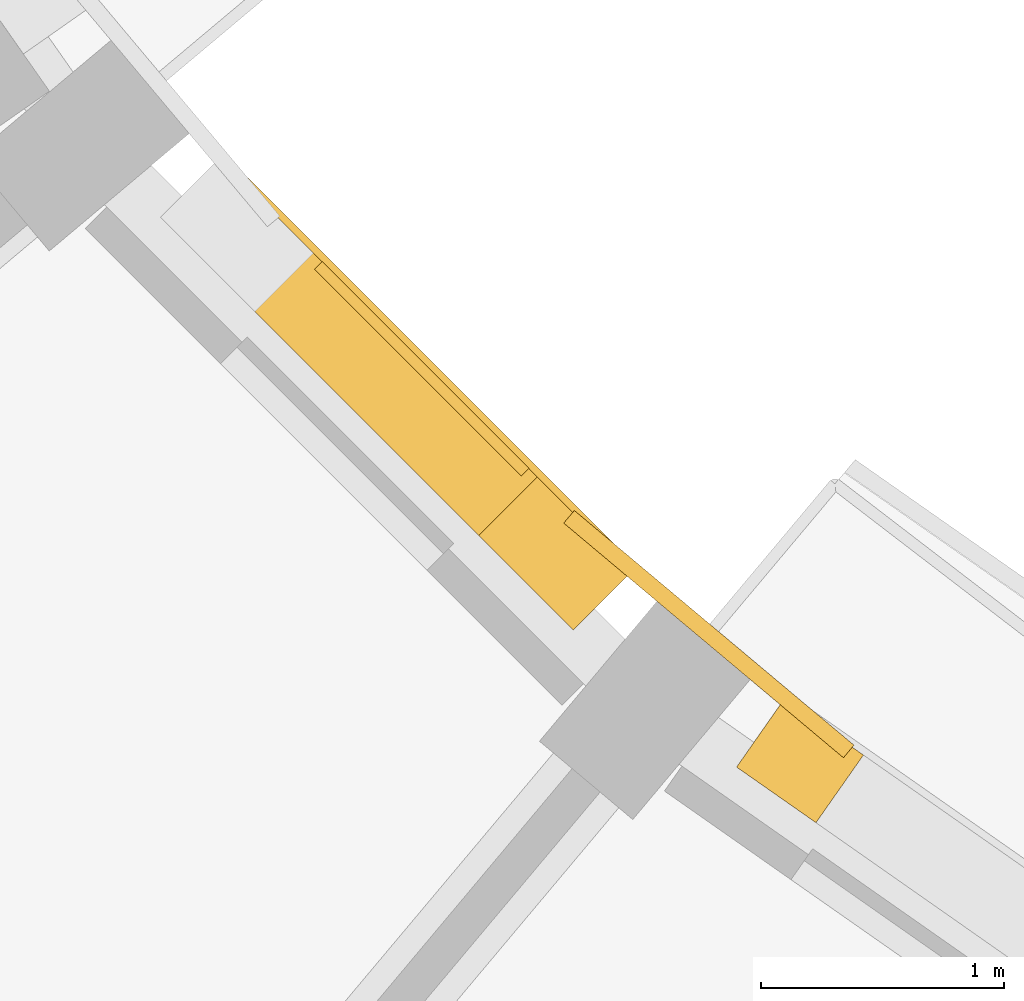
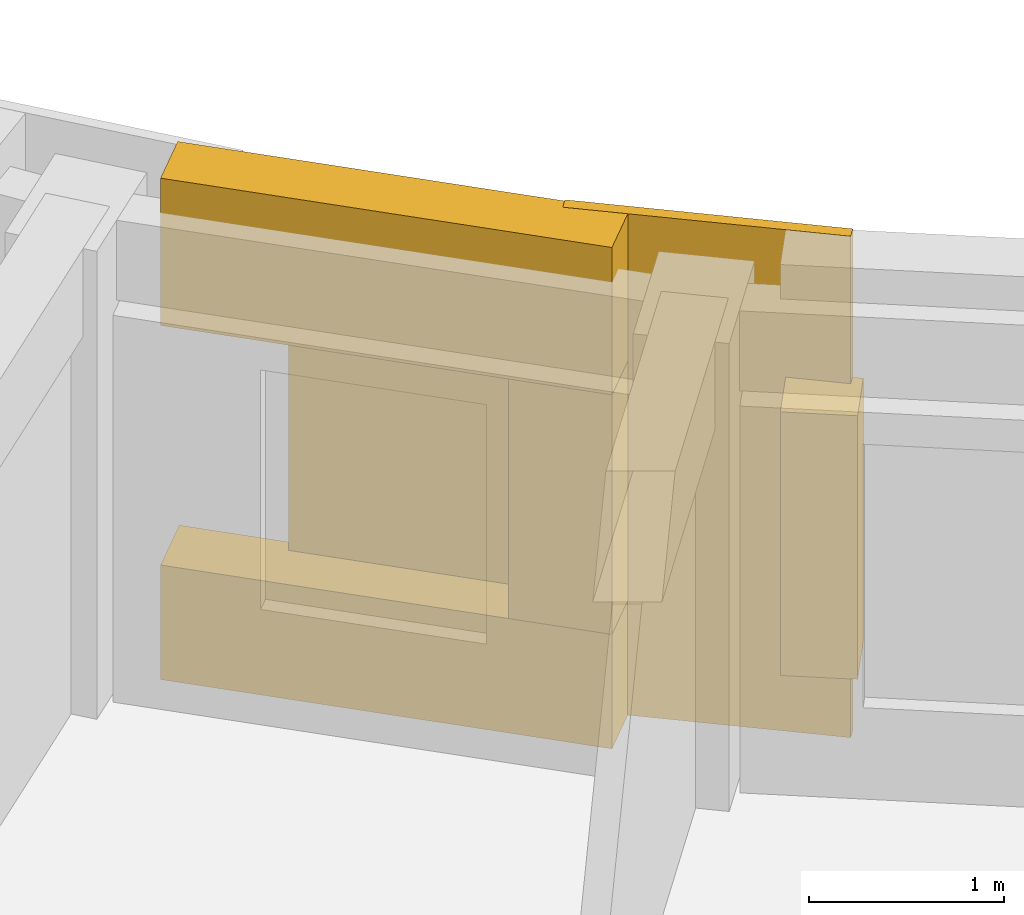
# One storey, part 41 of 57: 5 coverings, 1 shading device.
"""IFC4 building model written with IfcOpenShell, lengths in metres."""

import ifcopenshell
import ifcopenshell.guid

model = None  # the IFC model being written
_history = None  # IfcOwnerHistory: only IFC2X3 demands one
_inside = {}  # id of a spatial element -> (the spatial element, [elements in it])
_under = {}  # id of a project, library or spatial element -> (it, [spatial elements below it])
_declared = {}  # id of a project -> (the project, [libraries it declares])
_typed = {}  # id of a type object -> (the type object, [elements of that type])
_made_of = {}  # id of a material, layer set ... -> (it, [elements and type objects made of it])


def new_model(schema):
    """Start an empty IFC model of exactly this schema.

    Asked for "IFC4X3", IfcOpenShell would pick the latest addendum, in which some entities
    have other attributes; the version numbers below select the first issue.
    IFC2X3 requires an IfcOwnerHistory on every rooted entity: one is made here for all.
    """
    global model, _history
    if schema == "IFC4X3":
        model = ifcopenshell.file(schema_version=(4, 3, 0, 0))
    else:
        model = ifcopenshell.file(schema=schema)
    _inside.clear()
    _under.clear()
    _declared.clear()
    _typed.clear()
    _made_of.clear()
    _history = None
    if model.schema == "IFC2X3":
        org = make("IfcOrganization", Name="unknown")
        user = make(
            "IfcPersonAndOrganization",
            ThePerson=make("IfcPerson", FamilyName="unknown"),
            TheOrganization=org,
        )
        app = make(
            "IfcApplication",
            ApplicationDeveloper=org,
            Version="unknown",
            ApplicationFullName="unknown",
            ApplicationIdentifier="unknown",
        )
        _history = make(
            "IfcOwnerHistory",
            OwningUser=user,
            OwningApplication=app,
            ChangeAction="ADDED",
            CreationDate=0,
        )
    return model


def make(cls, **values):
    """One entity of the class cls with the attributes given. An attribute that is None is left unset."""
    return model.create_entity(
        cls, **{name: value for name, value in values.items() if value is not None}
    )


def rooted(cls, **values):
    """An entity with a GlobalId (a new one), such as an element, a storey or a relation."""
    return make(cls, GlobalId=ifcopenshell.guid.new(), OwnerHistory=_history, **values)


def si_unit(unit_type, name, prefix=None):
    """IfcSIUnit, for example si_unit("LENGTHUNIT", "METRE", prefix="MILLI")."""
    return make("IfcSIUnit", UnitType=unit_type, Prefix=prefix, Name=name)


def assignment(units):
    """IfcUnitAssignment: the units of a project."""
    return None if units is None else make("IfcUnitAssignment", Units=units)


def point(xyz):
    """IfcCartesianPoint."""
    return None if xyz is None else make("IfcCartesianPoint", Coordinates=xyz)


def direction(xyz):
    """IfcDirection."""
    return None if xyz is None else make("IfcDirection", DirectionRatios=xyz)


def frame(location, z_axis=None, x_axis=None):
    """IfcAxis2Placement3D, a coordinate frame: its origin and axes. An axis left out is left unset."""
    return make(
        "IfcAxis2Placement3D",
        Location=point(location),
        Axis=direction(z_axis),
        RefDirection=direction(x_axis),
    )


def frame_2d(location, x_axis=None):
    """IfcAxis2Placement2D, a coordinate frame in the plane: its origin and x axis."""
    return make(
        "IfcAxis2Placement2D", Location=point(location), RefDirection=direction(x_axis)
    )


def origin():
    """The frame at (0, 0, 0) with its axes left unset."""
    return frame((0.0, 0.0, 0.0))


def origin_2d():
    """The frame at (0, 0) in the plane with its x axis left unset."""
    return frame_2d((0.0, 0.0))


def place(relative_to, where):
    """IfcLocalPlacement: puts the frame where relative to a parent placement (None: the world)."""
    return make(
        "IfcLocalPlacement", PlacementRelTo=relative_to, RelativePlacement=where
    )


def context(
    kind, dimensions, precision=None, world=None, true_north=None, identifier=None
):
    """IfcGeometricRepresentationContext, for example the 3D "Model" context."""
    return make(
        "IfcGeometricRepresentationContext",
        ContextIdentifier=identifier,
        ContextType=kind,
        CoordinateSpaceDimension=dimensions,
        Precision=precision,
        WorldCoordinateSystem=world,
        TrueNorth=true_north,
    )


def subcontext(parent, identifier, kind, view, scale=None):
    """IfcGeometricRepresentationSubContext, for example "Body" below "Model"."""
    return make(
        "IfcGeometricRepresentationSubContext",
        ContextIdentifier=identifier,
        ContextType=kind,
        ParentContext=parent,
        TargetScale=scale,
        TargetView=view,
    )


def project(units=None, contexts=None):
    """IfcProject with its units and contexts."""
    return rooted(
        "IfcProject",
        Name="project",
        RepresentationContexts=contexts,
        UnitsInContext=assignment(units),
    )


def spatial(cls, under=None, at=None, **own):
    """A site, building, storey or space (cls), placed at a placement, below another one or the project."""
    s = rooted(cls, ObjectPlacement=at, **own)
    if under is not None:
        _under.setdefault(under.id(), (under, []))[1].append(s)
    return s


def polyline(points):
    """IfcPolyline through the points."""
    return make("IfcPolyline", Points=[point(p) for p in points])


def profile(cls, at=None, kind="AREA", **sizes):
    """A parametric profile (cls). Its sizes go by their IFC names, for example OverallWidth=200.0."""
    return make(cls, ProfileType=kind, Position=at, **sizes)


def rectangle(**sizes):
    """IfcRectangleProfileDef."""
    return profile("IfcRectangleProfileDef", **sizes)


def outline(outer, holes=None, kind="AREA"):
    """IfcArbitraryClosedProfileDef: a profile drawn as a closed curve; with holes, ...WithVoids."""
    if holes is None:
        return make("IfcArbitraryClosedProfileDef", ProfileType=kind, OuterCurve=outer)
    return make(
        "IfcArbitraryProfileDefWithVoids",
        ProfileType=kind,
        OuterCurve=outer,
        InnerCurves=holes,
    )


def extrude(swept, where, along, depth):
    """IfcExtrudedAreaSolid: the profile swept, set in the frame where, extruded along a direction by depth."""
    return make(
        "IfcExtrudedAreaSolid",
        SweptArea=swept,
        Position=where,
        ExtrudedDirection=direction(along),
        Depth=depth,
    )


def shape(context_of_items, identifier, shape_type, items):
    """IfcShapeRepresentation: the items that make up one representation, for example the "Body"."""
    return make(
        "IfcShapeRepresentation",
        ContextOfItems=context_of_items,
        RepresentationIdentifier=identifier,
        RepresentationType=shape_type,
        Items=items,
    )


def material(Name=None, Category=None):
    """IfcMaterial."""
    return make("IfcMaterial", Name=Name, Category=Category)


def layer(
    of_material, thickness, ventilated=None, Name=None, Category=None, Priority=None
):
    """IfcMaterialLayer: one layer of a wall or slab, of a material (None: an air gap)."""
    return make(
        "IfcMaterialLayer",
        Material=of_material,
        LayerThickness=thickness,
        IsVentilated=ventilated,
        Name=Name,
        Category=Category,
        Priority=Priority,
    )


def layer_set(layers, Name=None):
    """IfcMaterialLayerSet."""
    return make("IfcMaterialLayerSet", MaterialLayers=layers, LayerSetName=Name)


def made_of(thing, what):
    """Note that an element or type object is made of a material, layer set ...; save() writes the relation."""
    if what is not None:
        _made_of.setdefault(what.id(), (what, []))[1].append(thing)
    return thing


def type_object(cls, material=None, **own):
    """A type object (cls), such as IfcWallType, which elements share."""
    return made_of(rooted(cls, **own), material)


def element(
    cls,
    number,
    at=None,
    inside=None,
    cuts=None,
    type_object=None,
    material=None,
    context=None,
    identifier="Body",
    shape_type=None,
    held_by="IfcProductDefinitionShape",
    body=None,
    shapes=None,
    **own,
):
    """One element of the class cls, such as IfcWall. Its Tag is "e" and its number.

    at: its placement. inside: the storey or other place that contains it. cuts: it is an
    opening in that element (IfcRelVoidsElement). A single representation is given by context,
    identifier, shape_type and body (its items); several are given by shapes. held_by: the class
    of the entity that holds the representations. save() writes the other relations.
    """
    e = rooted(cls, Tag="e%d" % number, ObjectPlacement=at, **own)
    if body is not None:
        shapes = [shape(context, identifier, shape_type, body)]
    if shapes is not None:
        e.Representation = make(held_by, Representations=shapes)
    if inside is not None:
        _inside.setdefault(inside.id(), (inside, []))[1].append(e)
    if cuts is not None:
        rooted(
            "IfcRelVoidsElement", RelatingBuildingElement=cuts, RelatedOpeningElement=e
        )
    if type_object is not None:
        _typed.setdefault(type_object.id(), (type_object, []))[1].append(e)
    return made_of(e, material)


def aggregate(whole, parts):
    """IfcRelAggregates: a whole, such as a stair, and the parts it consists of."""
    return rooted("IfcRelAggregates", RelatingObject=whole, RelatedObjects=parts)


def save(model, path):
    """Write the relations noted so far, then the file.

    IfcRelAggregates (storeys below a building ...), IfcRelContainedInSpatialStructure (elements
    in a storey), IfcRelDefinesByType, IfcRelAssociatesMaterial and IfcRelDeclares: one each for
    every whole, place, type object, material and project.
    """
    for whole, parts in _under.values():
        aggregate(whole, parts)
    for where, things in _inside.values():
        rooted(
            "IfcRelContainedInSpatialStructure",
            RelatedElements=things,
            RelatingStructure=where,
        )
    for kind, things in _typed.values():
        rooted("IfcRelDefinesByType", RelatedObjects=things, RelatingType=kind)
    for what, things in _made_of.values():
        rooted("IfcRelAssociatesMaterial", RelatedObjects=things, RelatingMaterial=what)
    for by, libraries in _declared.values():
        rooted("IfcRelDeclares", RelatingContext=by, RelatedDefinitions=libraries)
    model.write(path)


model = new_model("IFC4")

# Units and contexts
model_context = context("Model", 3, precision=1e-05, world=origin(), true_north=direction((0.0, 1.0)))
body_context = subcontext(model_context, "Body", "Model", "MODEL_VIEW")
ifc_project = project(units=[si_unit("LENGTHUNIT", "METRE"), si_unit("AREAUNIT", "SQUARE_METRE"), si_unit("VOLUMEUNIT", "CUBIC_METRE"), si_unit("PLANEANGLEUNIT", "RADIAN"), si_unit("MASSUNIT", "GRAM", prefix="KILO")], contexts=[model_context])

# Site, building, storey
site_placement = place(None, origin())
site = spatial("IfcSite", under=ifc_project, at=site_placement, CompositionType="ELEMENT")
building_placement = place(site_placement, origin())
building = spatial("IfcBuilding", under=site, at=building_placement, Name="Kiranvali Square Residences", CompositionType="ELEMENT")
storey_placement = place(building_placement, frame((0.0, 0.0, 24.449951171875)))
storey = spatial("IfcBuildingStorey", under=building, at=storey_placement, Name="L07", CompositionType="ELEMENT", Elevation=24.449951171875)

# Coverings
ifc_material_1 = material(Name="Honed Porbandar limestone ashlar facade cladding", Category="masonry")
ifc_layer_1 = layer(ifc_material_1, 0.3798828125)
ifc_layer_set_1 = layer_set([ifc_layer_1], Name="Honed Porbandar limestone ashlar facade cladding")
covering_type_1 = type_object("IfcCoveringType", Name="COV-CLAD-JAMB", PredefinedType="CLADDING", material=ifc_layer_set_1)
covering_1_placement = place(storey_placement, frame((0.0, 0.0, 0.572021484375)))
element("IfcCovering", 1, at=covering_1_placement, inside=storey, type_object=covering_type_1, Name="L07 deep limestone window jamb reveal C-L07-GDN-03.R", PredefinedType="CLADDING", context=body_context, shape_type="SweptSolid", body=[
    extrude(outline(polyline([(36.99755859375, 33.595947265625), (36.671142578125, 33.824462890625), (36.476318359375, 33.54638671875), (36.802734375, 33.31787109375), (36.99755859375, 33.595947265625)])), origin(), (0.0, 0.0, 1.0), 1.650146484375),
])
covering_2_placement = place(storey_placement, frame((0.0, 0.0, 0.72216796875)))
element("IfcCovering", 2, at=covering_2_placement, inside=storey, type_object=covering_type_1, Name="L07 deep limestone window jamb reveal C-L07-GDN-04.L", PredefinedType="CLADDING", context=body_context, shape_type="SweptSolid", body=[
    extrude(outline(polyline([(36.044921875, 34.349853515625), (35.656982421875, 34.73779296875), (35.4169921875, 34.497802734375), (35.804931640625, 34.10986328125), (36.044921875, 34.349853515625)])), origin(), (0.0, 0.0, 1.0), 1.5),
])
ifc_layer_2 = layer(ifc_material_1, 0.050048828125)
ifc_layer_set_2 = layer_set([ifc_layer_2], Name="Honed Porbandar limestone ashlar facade cladding")
covering_type_2 = type_object("IfcCoveringType", Name="COV-CLAD-PIER-IN", PredefinedType="CLADDING", material=ifc_layer_set_2)
covering_3_placement = place(storey_placement, frame((0.0, 0.0, 0.005126953125)))
element("IfcCovering", 3, at=covering_3_placement, inside=storey, type_object=covering_type_2, Name="L07 Classical garden courtyard pilaster CLAD-PRIN-C-L07-A04", PredefinedType="CLADDING", context=body_context, shape_type="SweptSolid", body=[
    extrude(outline(polyline([(36.958740234375, 33.636474609375), (35.809814453125, 34.6005859375), (35.766357421875, 34.548828125), (36.91552734375, 33.584716796875), (36.958740234375, 33.636474609375)])), origin(), (0.0, 0.0, 1.0), 3.139892578125),
])
ifc_layer_3 = layer(ifc_material_1, 0.360107421875)
ifc_layer_set_3 = layer_set([ifc_layer_3], Name="Honed Porbandar limestone ashlar facade cladding")
covering_type_3 = type_object("IfcCoveringType", Name="COV-CLAD-WALL", PredefinedType="CLADDING", material=ifc_layer_set_3)
covering_4_placement = place(storey_placement, frame((0.0, 0.0, 2.22216796875)))
element("IfcCovering", 4, at=covering_4_placement, inside=storey, type_object=covering_type_3, Name="L07 light limestone spandrel lintel C-L07-GDN-04", PredefinedType="CLADDING", context=body_context, shape_type="SweptSolid", body=[
    extrude(outline(polyline([(36.044921875, 34.349853515625), (34.349853515625, 36.044921875), (34.10986328125, 35.804931640625), (35.804931640625, 34.10986328125), (36.044921875, 34.349853515625)])), origin(), (0.0, 0.0, 1.0), 0.9228515625),
])
ifc_layer_4 = layer(ifc_material_1, 0.2900390625)
ifc_layer_set_4 = layer_set([ifc_layer_4], Name="Honed Porbandar limestone ashlar facade cladding")
covering_type_4 = type_object("IfcCoveringType", Name="COV-CLAD-WALL-IN", PredefinedType="CLADDING", material=ifc_layer_set_4)
covering_5_placement = place(storey_placement, frame((0.0, 0.0, 0.005126953125)))
element("IfcCovering", 5, at=covering_5_placement, inside=storey, type_object=covering_type_4, Name="L07 limestone window sill apron C-L07-GDN-04", PredefinedType="CLADDING", context=body_context, shape_type="SweptSolid", body=[
    extrude(outline(polyline([(36.066162109375, 34.37109375), (34.37109375, 36.066162109375), (34.10986328125, 35.804931640625), (35.804931640625, 34.10986328125), (36.066162109375, 34.37109375)])), origin(), (0.0, 0.0, 1.0), 0.717041015625),
])

# Shading device
ifc_material_2 = material(Name="Pierced buff sandstone architectural mashrabiya solar screen", Category="masonry")
shading_device_type = type_object("IfcShadingDeviceType", Name="SHD-JALI-1600", PredefinedType="JALOUSIE", material=ifc_material_2)
shading_device_placement = place(storey_placement, frame((35.183349609375, 35.183349609375, 0.72216796875), z_axis=(0.0, 0.0, 1.0), x_axis=(-0.707106781187, 0.707106781187, 0.0)))
element("IfcShadingDevice", 6, at=shading_device_placement, inside=storey, type_object=shading_device_type, Name="L07 carved stone Mashrabiya screen C-L07-GDN-04", PredefinedType="JALOUSIE", context=body_context, shape_type="SweptSolid", body=[
    extrude(rectangle(XDim=1.199951171875, YDim=0.044921875, at=origin_2d()), origin(), (0.0, 0.0, 1.0), 1.5),
])

save(model, "model.ifc")
